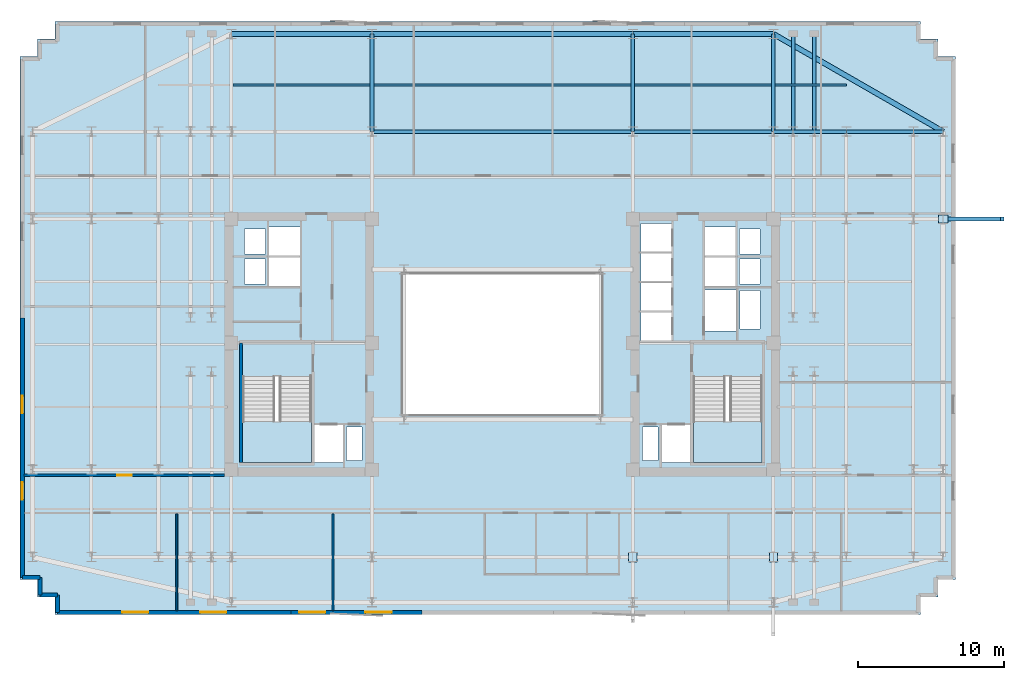
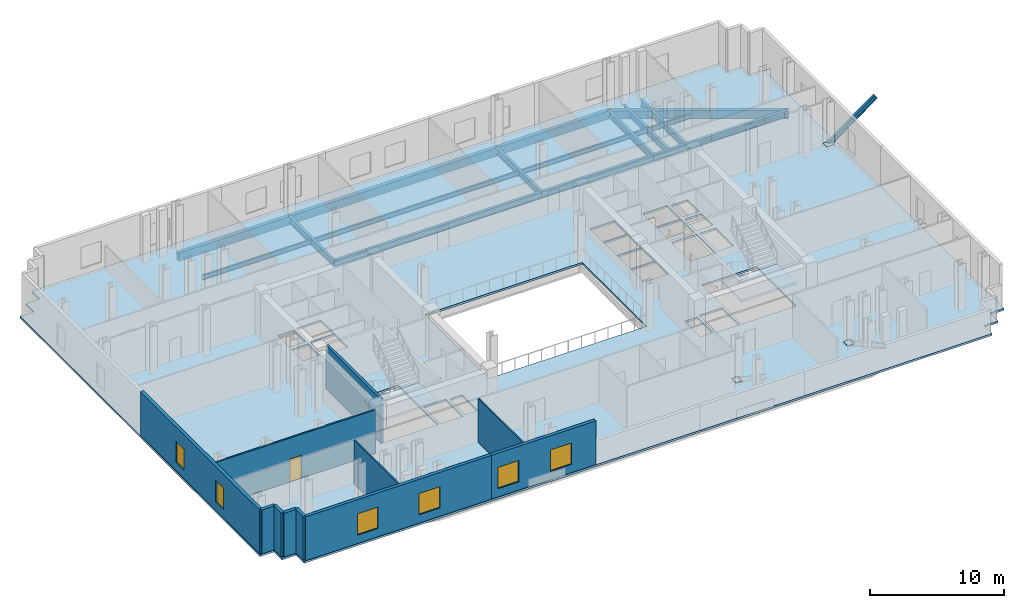
# One storey, part 3 of 9: 18 beams, 11 walls, 6 windows, 3 plates, 3 slabs, 1 door, 1 member, 7 openings, 2 elements without a shape of their own.
"""IFC4 building model written with IfcOpenShell, lengths in metres."""

from ifc_helpers import new_model, si_unit, direction, frame, frame_2d, origin, origin_2d, place, context, subcontext, project, spatial, polyline, rectangle, i_section, outline, extrude, material, layer, layer_set, material_profile, profile_set, type_object, element, fill, aggregate, save


model = new_model("IFC4")

# Units and contexts
model_context = context("Model", 3, precision=1e-05, world=origin(), true_north=direction((0.0, 1.0)))
body_context = subcontext(model_context, "Body", "Model", "MODEL_VIEW")
ifc_project = project(units=[si_unit("LENGTHUNIT", "METRE"), si_unit("AREAUNIT", "SQUARE_METRE"), si_unit("VOLUMEUNIT", "CUBIC_METRE"), si_unit("PLANEANGLEUNIT", "RADIAN"), si_unit("MASSUNIT", "GRAM", prefix="KILO")], contexts=[model_context])

# Site, building, storey
site_placement = place(None, origin())
site = spatial("IfcSite", under=ifc_project, at=site_placement, CompositionType="ELEMENT")
building_placement = place(site_placement, origin())
building = spatial("IfcBuilding", under=site, at=building_placement, Name="Velakula Bourse", CompositionType="ELEMENT")
storey_placement = place(building_placement, frame((0.0, 0.0, 151.89990234375)))
storey = spatial("IfcBuildingStorey", under=building, at=storey_placement, Name="L41", CompositionType="ELEMENT", Elevation=151.89990234375)

# Beams
ifc_material_1 = material(Name="Steel IS 2062 Grade 350 (E350)", Category="steel")
ifc_material_profile_1 = material_profile(ifc_material_1, i_section(OverallWidth=0.25, OverallDepth=0.60009765625, WebThickness=0.01123046875, FlangeThickness=0.021240234375, at=origin_2d()), Name="Steel IS 2062 Grade 350 (E350)")
ifc_profile_set_1 = profile_set([ifc_material_profile_1], Name="Steel IS 2062 Grade 350 (E350)")
beam_type_1 = type_object("IfcBeamType", Name="BM-GRD-600M", PredefinedType="BEAM", material=ifc_profile_set_1)
beam_1_placement = place(storey_placement, frame((-8.949951171875, 14.60009765625, -0.47998046875), z_axis=(1.0, 0.0, 0.0), x_axis=(0.0, 1.0, 0.0)))
element("IfcBeam", 1, at=beam_1_placement, inside=storey, type_object=beam_type_1, Name="L41 Fulcrum Grid Girder FLC-N2", PredefinedType="BEAM", context=body_context, shape_type="SweptSolid", body=[
    extrude(i_section(OverallWidth=0.25, OverallDepth=0.60009765625, WebThickness=0.01123046875, FlangeThickness=0.021240234375, at=origin_2d()), origin(), (0.0, 0.0, 1.0), 17.89990234375),
])
beam_2_placement = place(storey_placement, frame((8.949951171875, 14.60009765625, -0.47998046875), z_axis=(1.0, 0.0, 0.0), x_axis=(0.0, 1.0, 0.0)))
element("IfcBeam", 2, at=beam_2_placement, inside=storey, type_object=beam_type_1, Name="L41 Fulcrum Grid Girder FLC-N3", PredefinedType="BEAM", context=body_context, shape_type="SweptSolid", body=[
    extrude(i_section(OverallWidth=0.25, OverallDepth=0.60009765625, WebThickness=0.01123046875, FlangeThickness=0.021240234375, at=origin_2d()), origin(), (0.0, 0.0, 1.0), 9.650146484375),
])
beam_3_placement = place(storey_placement, frame((18.60009765625, 14.60009765625, -0.47998046875), z_axis=(1.0, 0.0, 0.0), x_axis=(0.0, 1.0, 0.0)))
element("IfcBeam", 3, at=beam_3_placement, inside=storey, type_object=beam_type_1, Name="L41 Fulcrum Grid Girder MWG-EN2", PredefinedType="BEAM", context=body_context, shape_type="SweptSolid", body=[
    extrude(i_section(OverallWidth=0.25, OverallDepth=0.60009765625, WebThickness=0.01123046875, FlangeThickness=0.021240234375, at=origin_2d()), origin(), (0.0, 0.0, 1.0), 5.0),
])
beam_4_placement = place(storey_placement, frame((23.60009765625, 14.60009765625, -0.47998046875), z_axis=(1.0, 0.0, 0.0), x_axis=(0.0, 1.0, 0.0)))
element("IfcBeam", 4, at=beam_4_placement, inside=storey, type_object=beam_type_1, Name="L41 Fulcrum Grid Girder WNG-EN2", PredefinedType="BEAM", context=body_context, shape_type="SweptSolid", body=[
    extrude(i_section(OverallWidth=0.25, OverallDepth=0.60009765625, WebThickness=0.01123046875, FlangeThickness=0.021240234375, at=origin_2d()), origin(), (0.0, 0.0, 1.0), 4.599853515625),
])
for number, where, z_axis, x_axis, name in (
    (5, (-8.949951171875, 14.60009765625, -0.47998046875), (0.0, 1.0, 0.0), (-1.0, 0.0, 0.0), "L41 Perimeter Tie Girder N2"),
    (6, (8.949951171875, 14.60009765625, -0.47998046875), (0.0, 1.0, 0.0), (-1.0, 0.0, 0.0), "L41 Perimeter Tie Girder N3"),
    (7, (18.60009765625, 14.60009765625, -0.47998046875), (0.0, 1.0, 0.0), (-1.0, 0.0, 0.0), "L41 Perimeter Tie Girder N4"),
):
    element("IfcBeam", number, at=place(storey_placement, frame(where, z_axis=z_axis, x_axis=x_axis)), inside=storey, type_object=beam_type_1, Name=name, PredefinedType="BEAM", context=body_context, shape_type="SweptSolid", body=[
        extrude(i_section(OverallWidth=0.25, OverallDepth=0.60009765625, WebThickness=0.01123046875, FlangeThickness=0.021240234375, at=origin_2d()), origin(), (0.0, 0.0, 1.0), 6.699951171875),
    ])
beam_5_placement = place(storey_placement, frame((28.199951171875, 14.60009765625, -0.47998046875), z_axis=(1.0, 0.0, 0.0), x_axis=(0.0, 1.0, 0.0)))
element("IfcBeam", 8, at=beam_5_placement, inside=storey, type_object=beam_type_1, Name="L41 Perimeter Tie Girder E4", PredefinedType="BEAM", context=body_context, shape_type="SweptSolid", body=[
    extrude(i_section(OverallWidth=0.25, OverallDepth=0.60009765625, WebThickness=0.01123046875, FlangeThickness=0.021240234375, at=origin_2d()), origin(), (0.0, 0.0, 1.0), 2.050048828125),
])
for number, where, z_axis, x_axis, name in (
    (9, (19.949951171875, 14.60009765625, -0.47998046875), (0.0, 1.0, 0.0), (-1.0, 0.0, 0.0), "L41 Perimeter Tie Girder P07"),
    (10, (21.39990234375, 14.60009765625, -0.47998046875), (0.0, 1.0, 0.0), (-1.0, 0.0, 0.0), "L41 Perimeter Tie Girder P08"),
):
    element("IfcBeam", number, at=place(storey_placement, frame(where, z_axis=z_axis, x_axis=x_axis)), inside=storey, type_object=beam_type_1, Name=name, PredefinedType="BEAM", context=body_context, shape_type="SweptSolid", body=[
        extrude(i_section(OverallWidth=0.25, OverallDepth=0.60009765625, WebThickness=0.01123046875, FlangeThickness=0.021240234375, at=origin_2d()), origin(), (0.0, 0.0, 1.0), 6.699951171875),
    ])

# Member
ifc_material_profile_2 = material_profile(ifc_material_1, i_section(OverallWidth=0.25, OverallDepth=0.39990234375, WebThickness=0.010498046875, FlangeThickness=0.0126953125, at=origin_2d()), Name="Steel IS 2062 Grade 350 (E350)")
ifc_profile_set_2 = profile_set([ifc_material_profile_2], Name="Steel IS 2062 Grade 350 (E350)")
member_type = type_object("IfcMemberType", Name="BR-TRF-400", PredefinedType="BRACE", material=ifc_profile_set_2)
member_placement = place(storey_placement, frame((30.25, 8.60009765625, 0.300048828125), z_axis=(0.806767724281, 0.0, 0.590868715586), x_axis=(0.0, 1.0, 0.0)))
element("IfcMember", 11, at=member_placement, inside=storey, type_object=member_type, Name="L41 Inclined Cantilever Transfer Raking Strut E3", PredefinedType="BRACE", context=body_context, shape_type="SweptSolid", body=[
    extrude(i_section(OverallWidth=0.25, OverallDepth=0.39990234375, WebThickness=0.010498046875, FlangeThickness=0.0126953125, at=origin_2d()), origin(), (0.0, 0.0, 1.0), 5.0263671875),
])

# Beams
ifc_material_profile_3 = material_profile(ifc_material_1, i_section(OverallWidth=0.14990234375, OverallDepth=0.449951171875, WebThickness=0.009521484375, FlangeThickness=0.017333984375, at=origin_2d()), Name="Steel IS 2062 Grade 350 (E350)")
ifc_profile_set_3 = profile_set([ifc_material_profile_3], Name="Steel IS 2062 Grade 350 (E350)")
beam_type_2 = type_object("IfcBeamType", Name="JST-TWR-450", PredefinedType="JOIST", material=ifc_profile_set_3)
beam_6_placement = place(storey_placement, frame((-18.47509765625, 17.800048828125, -0.40478515625), z_axis=(1.0, 0.0, 0.0), x_axis=(0.0, 1.0, 0.0)))
element("IfcBeam", 12, at=beam_6_placement, inside=storey, type_object=beam_type_2, Name="L41 Trading Floor Composite Joist 18", PredefinedType="JOIST", context=body_context, shape_type="SweptSolid", body=[
    extrude(i_section(OverallWidth=0.14990234375, OverallDepth=0.449951171875, WebThickness=0.009521484375, FlangeThickness=0.017333984375, at=origin_2d()), origin(), (0.0, 0.0, 1.0), 9.400146484375),
])
beam_7_placement = place(storey_placement, frame((-8.824951171875, 17.800048828125, -0.40478515625), z_axis=(1.0, 0.0, 0.0), x_axis=(0.0, 1.0, 0.0)))
element("IfcBeam", 13, at=beam_7_placement, inside=storey, type_object=beam_type_2, Name="L41 Trading Floor Composite Joist 19", PredefinedType="JOIST", context=body_context, shape_type="SweptSolid", body=[
    extrude(i_section(OverallWidth=0.14990234375, OverallDepth=0.449951171875, WebThickness=0.009521484375, FlangeThickness=0.017333984375, at=origin_2d()), origin(), (0.0, 0.0, 1.0), 17.64990234375),
])
beam_8_placement = place(storey_placement, frame((9.074951171875, 17.800048828125, -0.40478515625), z_axis=(1.0, 0.0, 0.0), x_axis=(0.0, 1.0, 0.0)))
element("IfcBeam", 14, at=beam_8_placement, inside=storey, type_object=beam_type_2, Name="L41 Trading Floor Composite Joist 20", PredefinedType="JOIST", context=body_context, shape_type="SweptSolid", body=[
    extrude(i_section(OverallWidth=0.14990234375, OverallDepth=0.449951171875, WebThickness=0.009521484375, FlangeThickness=0.017333984375, at=origin_2d()), origin(), (0.0, 0.0, 1.0), 9.400146484375),
])
beam_9_placement = place(storey_placement, frame((18.72509765625, 17.800048828125, -0.40478515625), z_axis=(1.0, 0.0, 0.0), x_axis=(0.0, 1.0, 0.0)))
element("IfcBeam", 15, at=beam_9_placement, inside=storey, type_object=beam_type_2, Name="L41 Trading Floor Composite Joist 21", PredefinedType="JOIST", context=body_context, shape_type="SweptSolid", body=[
    extrude(i_section(OverallWidth=0.14990234375, OverallDepth=0.449951171875, WebThickness=0.009521484375, FlangeThickness=0.017333984375, at=origin_2d()), origin(), (0.0, 0.0, 1.0), 4.875),
])
ifc_material_2 = material(Name="Precast concrete M45 (fck 45 MPa)", Category="concrete")
ifc_material_profile_4 = material_profile(ifc_material_2, rectangle(XDim=0.35009765625, YDim=0.75, at=origin_2d()), Name="Precast concrete M45 (fck 45 MPa)")
ifc_profile_set_4 = profile_set([ifc_material_profile_4], Name="Precast concrete M45 (fck 45 MPa)")
beam_type_3 = type_object("IfcBeamType", Name="SPN-BRICK-750", PredefinedType="SPANDREL", material=ifc_profile_set_4)
beam_10_placement = place(storey_placement, frame((-18.60009765625, 21.300048828125, -0.554931640625), z_axis=(1.0, 0.0, 0.0), x_axis=(0.0, 1.0, 0.0)))
element("IfcBeam", 16, at=beam_10_placement, inside=storey, type_object=beam_type_3, Name="L41 Brick-Faced Precast Spandrel N1-N2", PredefinedType="SPANDREL", context=body_context, shape_type="SweptSolid", body=[
    extrude(rectangle(XDim=0.35009765625, YDim=0.75, at=origin_2d()), origin(), (0.0, 0.0, 1.0), 9.650146484375),
])
beam_11_placement = place(storey_placement, frame((-8.949951171875, 21.300048828125, -0.554931640625), z_axis=(1.0, 0.0, 0.0), x_axis=(0.0, 1.0, 0.0)))
element("IfcBeam", 17, at=beam_11_placement, inside=storey, type_object=beam_type_3, Name="L41 Brick-Faced Precast Spandrel N2-N3", PredefinedType="SPANDREL", context=body_context, shape_type="SweptSolid", body=[
    extrude(rectangle(XDim=0.35009765625, YDim=0.75, at=origin_2d()), origin(), (0.0, 0.0, 1.0), 17.89990234375),
])
beam_12_placement = place(storey_placement, frame((8.949951171875, 21.300048828125, -0.554931640625), z_axis=(1.0, 0.0, 0.0), x_axis=(0.0, 1.0, 0.0)))
element("IfcBeam", 18, at=beam_12_placement, inside=storey, type_object=beam_type_3, Name="L41 Brick-Faced Precast Spandrel N3-N4", PredefinedType="SPANDREL", context=body_context, shape_type="SweptSolid", body=[
    extrude(rectangle(XDim=0.35009765625, YDim=0.75, at=origin_2d()), origin(), (0.0, 0.0, 1.0), 9.650146484375),
])
beam_13_placement = place(storey_placement, frame((30.25, 14.60009765625, -0.554931640625), z_axis=(-0.866865871572, 0.498541433286, 0.0), x_axis=(-0.498541433286, -0.866865871572, 0.0)))
element("IfcBeam", 19, at=beam_13_placement, inside=storey, type_object=beam_type_3, Name="L41 Brick-Faced Precast Spandrel E4-N4", PredefinedType="SPANDREL", context=body_context, shape_type="SweptSolid", body=[
    extrude(rectangle(XDim=0.35009765625, YDim=0.75, at=origin_2d()), origin(), (0.0, 0.0, 1.0), 13.439208984375),
])

# Plates
ifc_layer_1 = layer(ifc_material_1, 0.0400390625, Name="Steel IS 2062 Grade 350 (E350)", Category="steel")
ifc_layer_set_1 = layer_set([ifc_layer_1], Name="Steel IS 2062 Grade 350 (E350)")
plate_type = type_object("IfcPlateType", Name="PLT-NODE-TRF", PredefinedType="USERDEFINED", material=ifc_layer_set_1)
for number, where, z_axis, x_axis, name in (
    (20, (8.949951171875, -14.60009765625, 0.280029296875), (0.0, 0.0, 1.0), (0.0, -1.0, 0.0), "L41 Transfer Raking Strut Foot Gusset S3"),
    (21, (18.60009765625, -14.60009765625, 0.280029296875), (0.0, 0.0, 1.0), (0.0, -1.0, 0.0), "L41 Transfer Raking Strut Foot Gusset S4"),
    (22, (30.25, 8.60009765625, 0.280029296875), (0.0, 0.0, 1.0), (1.0, 0.0, 0.0), "L41 Transfer Raking Strut Foot Gusset E3"),
):
    element("IfcPlate", number, at=place(storey_placement, frame(where, z_axis=z_axis, x_axis=x_axis)), inside=storey, type_object=plate_type, Name=name, ObjectType="GUSSET PLATE", PredefinedType="USERDEFINED", context=body_context, shape_type="SweptSolid", body=[
        extrude(rectangle(XDim=0.639892578125, YDim=0.56005859375, at=origin_2d()), origin(), (0.0, 0.0, 1.0), 0.0400390625),
    ])

# Stair, slab
ifc_material_3 = material(Name="Concrete M45 (fck 45 MPa)", Category="concrete")
stair_type = type_object("IfcStairType", Name="STR-DOG-435", PredefinedType="HALF_TURN_STAIR", material=ifc_material_3)
stair_1_placement = place(storey_placement, origin())
stair_1 = element("IfcStair", 23, at=stair_1_placement, inside=storey, type_object=stair_type, Name="L41 West Core Exit Stair ST-W1", PredefinedType="HALF_TURN_STAIR")
ifc_layer_2 = layer(ifc_material_3, 0.199951171875, Name="Concrete M45 (fck 45 MPa)", Category="concrete")
ifc_layer_set_2 = layer_set([ifc_layer_2], Name="Concrete M45 (fck 45 MPa)")
slab_type_1 = type_object("IfcSlabType", Name="SLB-STAIR-LND-200", PredefinedType="LANDING", material=ifc_layer_set_2)
slab_1_placement = place(storey_placement, frame((0.0, 0.0, 1.9501953125)))
slab_1 = element("IfcSlab", 24, at=slab_1_placement, type_object=slab_type_1, Name="ST-W1 landing 1", PredefinedType="LANDING", context=body_context, shape_type="SweptSolid", body=[
    extrude(outline(polyline([(-17.820068359375, -5.280029296875), (-17.820068359375, -8.10009765625), (-13.10009765625, -8.10009765625), (-13.10009765625, -5.280029296875), (-17.820068359375, -5.280029296875)])), origin(), (0.0, 0.0, 1.0), 0.199951171875),
])
aggregate(stair_1, [slab_1])

stair_2_placement = place(storey_placement, origin())
stair_2 = element("IfcStair", 25, at=stair_2_placement, inside=storey, type_object=stair_type, Name="L41 East Core Exit Stair ST-E1", PredefinedType="HALF_TURN_STAIR")
slab_2_placement = place(storey_placement, frame((0.0, 0.0, 1.9501953125)))
slab_2 = element("IfcSlab", 26, at=slab_2_placement, type_object=slab_type_1, Name="ST-E1 landing 1", PredefinedType="LANDING", context=body_context, shape_type="SweptSolid", body=[
    extrude(outline(polyline([(13.10009765625, -5.280029296875), (13.10009765625, -8.10009765625), (17.820068359375, -8.10009765625), (17.820068359375, -5.280029296875), (13.10009765625, -5.280029296875)])), origin(), (0.0, 0.0, 1.0), 0.199951171875),
])
aggregate(stair_2, [slab_2])

# Slab
ifc_material_4 = material(Name="Concrete M50 (fck 50 MPa)", Category="concrete")
ifc_layer_3 = layer(ifc_material_4, 0.179931640625, Name="Concrete M50 (fck 50 MPa)", Category="concrete")
ifc_layer_set_3 = layer_set([ifc_layer_3], Name="Concrete M50 (fck 50 MPa)")
slab_type_2 = type_object("IfcSlabType", Name="SLB-TWR-180", PredefinedType="FLOOR", material=ifc_layer_set_3)
slab_3_placement = place(storey_placement, frame((0.0, 0.0, -0.179931640625)))
element("IfcSlab", 27, at=slab_3_placement, inside=storey, type_object=slab_type_2, Name="L41 Suspended Structural Floor Slab", PredefinedType="FLOOR", context=body_context, shape_type="SweptSolid", body=[
    extrude(outline(polyline([(-30.699951171875, -18.550048828125), (28.699951171875, -18.550048828125), (28.699951171875, -17.35009765625), (29.89990234375, -17.35009765625), (29.89990234375, -16.14990234375), (31.10009765625, -16.14990234375), (31.10009765625, 19.75), (29.89990234375, 19.75), (29.89990234375, 20.949951171875), (28.699951171875, 20.949951171875), (28.699951171875, 22.14990234375), (-30.699951171875, 22.14990234375), (-30.699951171875, 20.949951171875), (-31.89990234375, 20.949951171875), (-31.89990234375, 19.75), (-33.10009765625, 19.75), (-33.10009765625, -16.14990234375), (-31.89990234375, -16.14990234375), (-31.89990234375, -17.35009765625), (-30.699951171875, -17.35009765625), (-30.699951171875, -18.550048828125)]), holes=[polyline([(-17.820068359375, -8.10009765625), (-13.10009765625, -8.10009765625), (-13.10009765625, -2.199951171875), (-17.820068359375, -2.199951171875), (-17.820068359375, -8.10009765625)]), polyline([(13.10009765625, -8.10009765625), (17.820068359375, -8.10009765625), (17.820068359375, -2.199951171875), (13.10009765625, -2.199951171875), (13.10009765625, -8.10009765625)]), polyline([(-12.89990234375, -8.10009765625), (-10.949951171875, -8.10009765625), (-10.949951171875, -5.550048828125), (-12.89990234375, -5.550048828125), (-12.89990234375, -8.10009765625)]), polyline([(10.949951171875, -8.10009765625), (12.89990234375, -8.10009765625), (12.89990234375, -5.550048828125), (10.949951171875, -5.550048828125), (10.949951171875, -8.10009765625)]), polyline([(13.89990234375, 0.919921875), (16.050048828125, 0.919921875), (16.050048828125, 3.719970703125), (13.89990234375, 3.719970703125), (13.89990234375, 0.919921875)]), polyline([(-10.679931640625, -7.97998046875), (-9.6201171875, -7.97998046875), (-9.6201171875, -5.669921875), (-10.679931640625, -5.669921875), (-10.679931640625, -7.97998046875)]), polyline([(-17.679931640625, 4.139892578125), (-16.27001953125, 4.139892578125), (-16.27001953125, 5.85009765625), (-17.679931640625, 5.85009765625), (-17.679931640625, 4.139892578125)]), polyline([(-17.679931640625, 6.2099609375), (-16.27001953125, 6.2099609375), (-16.27001953125, 7.919921875), (-17.679931640625, 7.919921875), (-17.679931640625, 6.2099609375)]), polyline([(9.6201171875, -7.97998046875), (10.679931640625, -7.97998046875), (10.679931640625, -5.669921875), (9.6201171875, -5.669921875), (9.6201171875, -7.97998046875)]), polyline([(16.27001953125, 4.139892578125), (17.679931640625, 4.139892578125), (17.679931640625, 5.85009765625), (16.27001953125, 5.85009765625), (16.27001953125, 4.139892578125)]), polyline([(16.27001953125, 6.2099609375), (17.679931640625, 6.2099609375), (17.679931640625, 7.919921875), (16.27001953125, 7.919921875), (16.27001953125, 6.2099609375)]), polyline([(16.320068359375, 1.0400390625), (17.679931640625, 1.0400390625), (17.679931640625, 3.699951171875), (16.320068359375, 3.699951171875), (16.320068359375, 1.0400390625)]), polyline([(9.5, 0.280029296875), (11.60009765625, 0.280029296875), (11.60009765625, 2.199951171875), (9.5, 2.199951171875), (9.5, 0.280029296875)]), polyline([(9.5, 2.31005859375), (11.60009765625, 2.31005859375), (11.60009765625, 4.22998046875), (9.5, 4.22998046875), (9.5, 2.31005859375)]), polyline([(9.5, 4.340087890625), (11.60009765625, 4.340087890625), (11.60009765625, 6.260009765625), (9.5, 6.260009765625), (9.5, 4.340087890625)]), polyline([(9.5, 6.3701171875), (11.60009765625, 6.3701171875), (11.60009765625, 8.2900390625), (9.5, 8.2900390625), (9.5, 6.3701171875)]), polyline([(-16.0, 4.02001953125), (-13.89990234375, 4.02001953125), (-13.89990234375, 5.969970703125), (-16.0, 5.969970703125), (-16.0, 4.02001953125)]), polyline([(-16.0, 6.090087890625), (-13.89990234375, 6.090087890625), (-13.89990234375, 8.0400390625), (-16.0, 8.0400390625), (-16.0, 6.090087890625)]), polyline([(13.89990234375, 4.02001953125), (16.0, 4.02001953125), (16.0, 5.969970703125), (13.89990234375, 5.969970703125), (13.89990234375, 4.02001953125)]), polyline([(13.89990234375, 6.090087890625), (16.0, 6.090087890625), (16.0, 8.0400390625), (13.89990234375, 8.0400390625), (13.89990234375, 6.090087890625)]), polyline([(-6.800048828125, -4.800048828125), (6.800048828125, -4.800048828125), (6.800048828125, 4.800048828125), (-6.800048828125, 4.800048828125), (-6.800048828125, -4.800048828125)])]), origin(), (0.0, 0.0, 1.0), 0.179931640625),
])

# Wall
ifc_layer_4 = layer(ifc_material_4, 0.2099609375, Name="Concrete M50 (fck 50 MPa)", Category="concrete")
ifc_layer_set_4 = layer_set([ifc_layer_4], Name="Concrete M50 (fck 50 MPa)")
wall_type_1 = type_object("IfcWallType", Name="WL-CORE-210", PredefinedType="SHEAR", material=ifc_layer_set_4)
wall_1_placement = place(storey_placement, frame((-17.925048828125, -8.10009765625, 0.0), z_axis=(0.0, 0.0, 1.0), x_axis=(0.0, 1.0, 0.0)))
element("IfcWall", 28, at=wall_1_placement, inside=storey, type_object=wall_type_1, Name="L41 Core W Stairwell Shear Wall OUT", PredefinedType="SHEAR", context=body_context, shape_type="SweptSolid", body=[
    extrude(rectangle(XDim=8.2001953125, YDim=0.2099609375, at=frame_2d((4.10009765625, 0.0))), origin(), (0.0, 0.0, 1.0), 4.02001953125),
])

# Wall, openings, windows
ifc_material_5 = material(Name="Red kilned clay facing brick masonry", Category="masonry")
ifc_layer_5 = layer(ifc_material_5, 0.280029296875, Name="Red kilned clay facing brick masonry", Category="masonry")
ifc_layer_set_5 = layer_set([ifc_layer_5], Name="Red kilned clay facing brick masonry")
wall_type_2 = type_object("IfcWallType", Name="WL-EXT-BRK-280", PredefinedType="STANDARD", material=ifc_layer_set_5)
wall_2_placement = place(storey_placement, frame((-14.5, -18.389892578125, 0.0), z_axis=(0.0, 0.0, 1.0), x_axis=(-1.0, 0.0, 0.0)))
wall_2 = element("IfcWall", 29, at=wall_2_placement, inside=storey, type_object=wall_type_2, Name="L41 S Brick Spandrel Wall B1", PredefinedType="STANDARD", context=body_context, shape_type="SweptSolid", body=[
    extrude(rectangle(XDim=16.0400390625, YDim=0.280029296875, at=frame_2d((8.02001953125, 0.0))), origin(), (0.0, 0.0, 1.0), 4.0),
])
opening_1_placement = place(wall_2_placement, frame((4.44677734375, 0.0, 0.760009765625)))
opening_1 = element("IfcOpeningElement", 30, at=opening_1_placement, cuts=wall_2, Name="Opening W-01", PredefinedType="OPENING", context=body_context, shape_type="SweptSolid", body=[
    extrude(rectangle(XDim=1.800048828125, YDim=1.949951171875, at=frame_2d((0.89990234375, 0.97509765625))), frame((0.0, 0.14990234375, 0.0), z_axis=(0.0, -1.0, 0.0), x_axis=(1.0, 0.0, 0.0)), (0.0, 0.0, 1.0), 0.300048828125),
])
opening_2_placement = place(wall_2_placement, frame((9.793212890625, 0.0, 0.760009765625)))
opening_2 = element("IfcOpeningElement", 31, at=opening_2_placement, cuts=wall_2, Name="Opening W-01", PredefinedType="OPENING", context=body_context, shape_type="SweptSolid", body=[
    extrude(rectangle(XDim=1.800048828125, YDim=1.949951171875, at=frame_2d((0.89990234375, 0.97509765625))), frame((0.0, 0.14990234375, 0.0), z_axis=(0.0, -1.0, 0.0), x_axis=(1.0, 0.0, 0.0)), (0.0, 0.0, 1.0), 0.300048828125),
])
ifc_material_6 = material(Name="Double-glazed solar-control Low-E glass", Category="glass")
window_type_1 = type_object("IfcWindowType", Name="WIN-TWR-1800x2100", PartitioningType="SINGLE_PANEL", PredefinedType="WINDOW", material=ifc_material_6)
window_1_placement = place(opening_1_placement, origin())
window_1 = element("IfcWindow", 32, at=window_1_placement, inside=storey, type_object=window_type_1, Name="L41 Deep-Set Recessed Window 1", OverallHeight=1.949951171875, OverallWidth=1.800048828125, PartitioningType="SINGLE_PANEL", PredefinedType="WINDOW", context=body_context, shape_type="SweptSolid", body=[
    extrude(rectangle(XDim=1.800048828125, YDim=1.949951171875, at=frame_2d((0.89990234375, 0.97509765625))), frame((0.0, 0.030029296875, 0.0), z_axis=(0.0, -1.0, 0.0), x_axis=(1.0, 0.0, 0.0)), (0.0, 0.0, 1.0), 0.06005859375),
])
fill(opening_1, window_1)
window_2_placement = place(opening_2_placement, origin())
window_2 = element("IfcWindow", 33, at=window_2_placement, inside=storey, type_object=window_type_1, Name="L41 Deep-Set Recessed Window 2", OverallHeight=1.949951171875, OverallWidth=1.800048828125, PartitioningType="SINGLE_PANEL", PredefinedType="WINDOW", context=body_context, shape_type="SweptSolid", body=[
    extrude(rectangle(XDim=1.800048828125, YDim=1.949951171875, at=frame_2d((0.89990234375, 0.97509765625))), frame((0.0, 0.030029296875, 0.0), z_axis=(0.0, -1.0, 0.0), x_axis=(1.0, 0.0, 0.0)), (0.0, 0.0, 1.0), 0.06005859375),
])
fill(opening_2, window_2)

wall_3_placement = place(storey_placement, frame((-5.5, -18.389892578125, 0.0), z_axis=(0.0, 0.0, 1.0), x_axis=(-1.0, 0.0, 0.0)))
wall_3 = element("IfcWall", 34, at=wall_3_placement, inside=storey, type_object=wall_type_2, Name="L41 S Brick Spandrel Wall B2", PredefinedType="STANDARD", context=body_context, shape_type="SweptSolid", body=[
    extrude(rectangle(XDim=9.0, YDim=0.280029296875, at=frame_2d((4.5, 0.0))), origin(), (0.0, 0.0, 1.0), 4.0),
])
opening_3_placement = place(wall_3_placement, frame((2.10009765625, 0.0, 0.760009765625)))
opening_3 = element("IfcOpeningElement", 35, at=opening_3_placement, cuts=wall_3, Name="Opening W-01", PredefinedType="OPENING", context=body_context, shape_type="SweptSolid", body=[
    extrude(rectangle(XDim=1.800048828125, YDim=1.949951171875, at=frame_2d((0.89990234375, 0.97509765625))), frame((0.0, 0.14990234375, 0.0), z_axis=(0.0, -1.0, 0.0), x_axis=(1.0, 0.0, 0.0)), (0.0, 0.0, 1.0), 0.300048828125),
])
opening_4_placement = place(wall_3_placement, frame((6.64990234375, 0.0, 0.760009765625)))
opening_4 = element("IfcOpeningElement", 36, at=opening_4_placement, cuts=wall_3, Name="Opening W-01", PredefinedType="OPENING", context=body_context, shape_type="SweptSolid", body=[
    extrude(rectangle(XDim=1.800048828125, YDim=1.949951171875, at=frame_2d((0.89990234375, 0.97509765625))), frame((0.0, 0.14990234375, 0.0), z_axis=(0.0, -1.0, 0.0), x_axis=(1.0, 0.0, 0.0)), (0.0, 0.0, 1.0), 0.300048828125),
])
window_3_placement = place(opening_3_placement, origin())
window_3 = element("IfcWindow", 37, at=window_3_placement, inside=storey, type_object=window_type_1, Name="L41 Deep-Set Recessed Window 1", OverallHeight=1.949951171875, OverallWidth=1.800048828125, PartitioningType="SINGLE_PANEL", PredefinedType="WINDOW", context=body_context, shape_type="SweptSolid", body=[
    extrude(rectangle(XDim=1.800048828125, YDim=1.949951171875, at=frame_2d((0.89990234375, 0.97509765625))), frame((0.0, 0.030029296875, 0.0), z_axis=(0.0, -1.0, 0.0), x_axis=(1.0, 0.0, 0.0)), (0.0, 0.0, 1.0), 0.06005859375),
])
fill(opening_3, window_3)
window_4_placement = place(opening_4_placement, origin())
window_4 = element("IfcWindow", 38, at=window_4_placement, inside=storey, type_object=window_type_1, Name="L41 Deep-Set Recessed Window 2", OverallHeight=1.949951171875, OverallWidth=1.800048828125, PartitioningType="SINGLE_PANEL", PredefinedType="WINDOW", context=body_context, shape_type="SweptSolid", body=[
    extrude(rectangle(XDim=1.800048828125, YDim=1.949951171875, at=frame_2d((0.89990234375, 0.97509765625))), frame((0.0, 0.030029296875, 0.0), z_axis=(0.0, -1.0, 0.0), x_axis=(1.0, 0.0, 0.0)), (0.0, 0.0, 1.0), 0.06005859375),
])
fill(opening_4, window_4)

wall_4_placement = place(storey_placement, frame((-32.93994140625, -15.989990234375, 0.0), z_axis=(0.0, 0.0, 1.0), x_axis=(0.0, 1.0, 0.0)))
wall_4 = element("IfcWall", 39, at=wall_4_placement, inside=storey, type_object=wall_type_2, Name="L41 W Brick End Wall W1", PredefinedType="STANDARD", context=body_context, shape_type="SweptSolid", body=[
    extrude(rectangle(XDim=17.7900390625, YDim=0.280029296875, at=frame_2d((8.89501953125, 0.0))), origin(), (0.0, 0.0, 1.0), 4.0),
])
opening_5_placement = place(wall_4_placement, frame((5.330078125, 0.0, 0.760009765625)))
opening_5 = element("IfcOpeningElement", 40, at=opening_5_placement, cuts=wall_4, Name="Opening W-04", PredefinedType="OPENING", context=body_context, shape_type="SweptSolid", body=[
    extrude(rectangle(XDim=1.199951171875, YDim=1.949951171875, at=frame_2d((0.60009765625, 0.97509765625))), frame((0.0, 0.14990234375, 0.0), z_axis=(0.0, -1.0, 0.0), x_axis=(1.0, 0.0, 0.0)), (0.0, 0.0, 1.0), 0.300048828125),
])
opening_6_placement = place(wall_4_placement, frame((11.260009765625, 0.0, 0.760009765625)))
opening_6 = element("IfcOpeningElement", 41, at=opening_6_placement, cuts=wall_4, Name="Opening W-04", PredefinedType="OPENING", context=body_context, shape_type="SweptSolid", body=[
    extrude(rectangle(XDim=1.199951171875, YDim=1.949951171875, at=frame_2d((0.60009765625, 0.97509765625))), frame((0.0, 0.14990234375, 0.0), z_axis=(0.0, -1.0, 0.0), x_axis=(1.0, 0.0, 0.0)), (0.0, 0.0, 1.0), 0.300048828125),
])
window_type_2 = type_object("IfcWindowType", Name="WIN-TWR-1200x2100", PartitioningType="SINGLE_PANEL", PredefinedType="WINDOW", material=ifc_material_6)
window_5_placement = place(opening_5_placement, origin())
window_5 = element("IfcWindow", 42, at=window_5_placement, inside=storey, type_object=window_type_2, Name="L41 Deep-Set Recessed Window 1", OverallHeight=1.949951171875, OverallWidth=1.199951171875, PartitioningType="SINGLE_PANEL", PredefinedType="WINDOW", context=body_context, shape_type="SweptSolid", body=[
    extrude(rectangle(XDim=1.199951171875, YDim=1.949951171875, at=frame_2d((0.60009765625, 0.97509765625))), frame((0.0, 0.030029296875, 0.0), z_axis=(0.0, -1.0, 0.0), x_axis=(1.0, 0.0, 0.0)), (0.0, 0.0, 1.0), 0.06005859375),
])
fill(opening_5, window_5)
window_6_placement = place(opening_6_placement, origin())
window_6 = element("IfcWindow", 43, at=window_6_placement, inside=storey, type_object=window_type_2, Name="L41 Deep-Set Recessed Window 2", OverallHeight=1.949951171875, OverallWidth=1.199951171875, PartitioningType="SINGLE_PANEL", PredefinedType="WINDOW", context=body_context, shape_type="SweptSolid", body=[
    extrude(rectangle(XDim=1.199951171875, YDim=1.949951171875, at=frame_2d((0.60009765625, 0.97509765625))), frame((0.0, 0.030029296875, 0.0), z_axis=(0.0, -1.0, 0.0), x_axis=(1.0, 0.0, 0.0)), (0.0, 0.0, 1.0), 0.06005859375),
])
fill(opening_6, window_6)

# Walls
for number, where, z_axis, x_axis, name in (
    (44, (-32.93994140625, -15.989990234375, 0.0), (0.0, 0.0, 1.0), (1.0, 0.0, 0.0), "L41 Serrated Corner Brick Wall SW-1"),
    (45, (-31.739990234375, -15.989990234375, 0.0), (0.0, 0.0, 1.0), (0.0, -1.0, 0.0), "L41 Serrated Corner Brick Wall SW-2"),
    (46, (-31.739990234375, -17.18994140625, 0.0), (0.0, 0.0, 1.0), (1.0, 0.0, 0.0), "L41 Serrated Corner Brick Wall SW-3"),
    (47, (-30.5400390625, -17.18994140625, 0.0), (0.0, 0.0, 1.0), (0.0, -1.0, 0.0), "L41 Serrated Corner Brick Wall SW-4"),
):
    element("IfcWall", number, at=place(storey_placement, frame(where, z_axis=z_axis, x_axis=x_axis)), inside=storey, type_object=wall_type_2, Name=name, PredefinedType="STANDARD", context=body_context, shape_type="SweptSolid", body=[
        extrude(rectangle(XDim=1.199951171875, YDim=0.280029296875, at=frame_2d((0.60009765625, 0.0))), origin(), (0.0, 0.0, 1.0), 4.0),
    ])
ifc_material_7 = material(Name="Fire-rated double-layer gypsum drywall partition", Category="gypsum")
ifc_layer_6 = layer(ifc_material_7, 0.1201171875, Name="Fire-rated double-layer gypsum drywall partition", Category="gypsum")
ifc_layer_set_6 = layer_set([ifc_layer_6], Name="Fire-rated double-layer gypsum drywall partition")
wall_type_3 = type_object("IfcWallType", Name="WL-PART-120", PredefinedType="STANDARD", material=ifc_layer_set_6)
for number, where, z_axis, x_axis, name in (
    (48, (-22.344970703125, -18.27001953125, 0.0), (0.0, 0.0, 1.0), (0.0, 1.0, 0.0), "L41 Interior Partition WL-INT-L41-SL-D5"),
    (49, (-11.614990234375, -18.27001953125, 0.0), (0.0, 0.0, 1.0), (0.0, 1.0, 0.0), "L41 Interior Partition WL-INT-L41-SL-D6"),
):
    element("IfcWall", number, at=place(storey_placement, frame(where, z_axis=z_axis, x_axis=x_axis)), inside=storey, type_object=wall_type_3, Name=name, PredefinedType="STANDARD", context=body_context, shape_type="SweptSolid", body=[
        extrude(rectangle(XDim=6.630126953125, YDim=0.1201171875, at=frame_2d((3.31494140625, 0.0))), origin(), (0.0, 0.0, 1.0), 4.0),
    ])

# Wall, opening, door
ifc_layer_7 = layer(ifc_material_7, 0.139892578125, Name="Fire-rated double-layer gypsum drywall partition", Category="gypsum")
ifc_layer_set_7 = layer_set([ifc_layer_7], Name="Fire-rated double-layer gypsum drywall partition")
wall_type_4 = type_object("IfcWallType", Name="WL-PART-140", PredefinedType="STANDARD", material=ifc_layer_set_7)
wall_5_placement = place(storey_placement, frame((-32.820068359375, -8.97998046875, 0.0), z_axis=(0.0, 0.0, 1.0), x_axis=(1.0, 0.0, 0.0)))
wall_5 = element("IfcWall", 50, at=wall_5_placement, inside=storey, type_object=wall_type_4, Name="L41 Interior Partition WL-INT-L41-W-SC", PredefinedType="STANDARD", context=body_context, shape_type="SweptSolid", body=[
    extrude(rectangle(XDim=13.77001953125, YDim=0.139892578125, at=frame_2d((6.885009765625, 0.0))), origin(), (0.0, 0.0, 1.0), 4.0),
])
opening_7_placement = place(wall_5_placement, frame((6.385009765625, 0.0, 0.0)))
opening_7 = element("IfcOpeningElement", 51, at=opening_7_placement, cuts=wall_5, Name="Opening D-OF1", PredefinedType="OPENING", context=body_context, shape_type="SweptSolid", body=[
    extrude(rectangle(XDim=1.0, YDim=2.080078125, at=frame_2d((0.5, 1.0400390625))), frame((0.0, 0.079833984375, 0.0), z_axis=(0.0, -1.0, 0.0), x_axis=(1.0, 0.0, 0.0)), (0.0, 0.0, 1.0), 0.159912109375),
])
ifc_material_8 = material(Name="Fire-rated hardwood flush architectural door", Category="wood")
door_type = type_object("IfcDoorType", Name="DR-OFF-1000", OperationType="NOTDEFINED", PredefinedType="DOOR", material=ifc_material_8)
door_placement = place(opening_7_placement, origin())
door = element("IfcDoor", 52, at=door_placement, inside=storey, type_object=door_type, Name="L41 Derivatives Dealing Workspace Door", OperationType="SINGLE_SWING_RIGHT", OverallHeight=2.080078125, OverallWidth=1.0, PredefinedType="DOOR", context=body_context, shape_type="SweptSolid", body=[
    extrude(rectangle(XDim=1.0, YDim=2.080078125, at=frame_2d((0.5, 1.0400390625))), frame((0.0, 0.02490234375, 0.0), z_axis=(0.0, -1.0, 0.0), x_axis=(1.0, 0.0, 0.0)), (0.0, 0.0, 1.0), 0.050048828125),
])
fill(opening_7, door)

save(model, "model.ifc")
